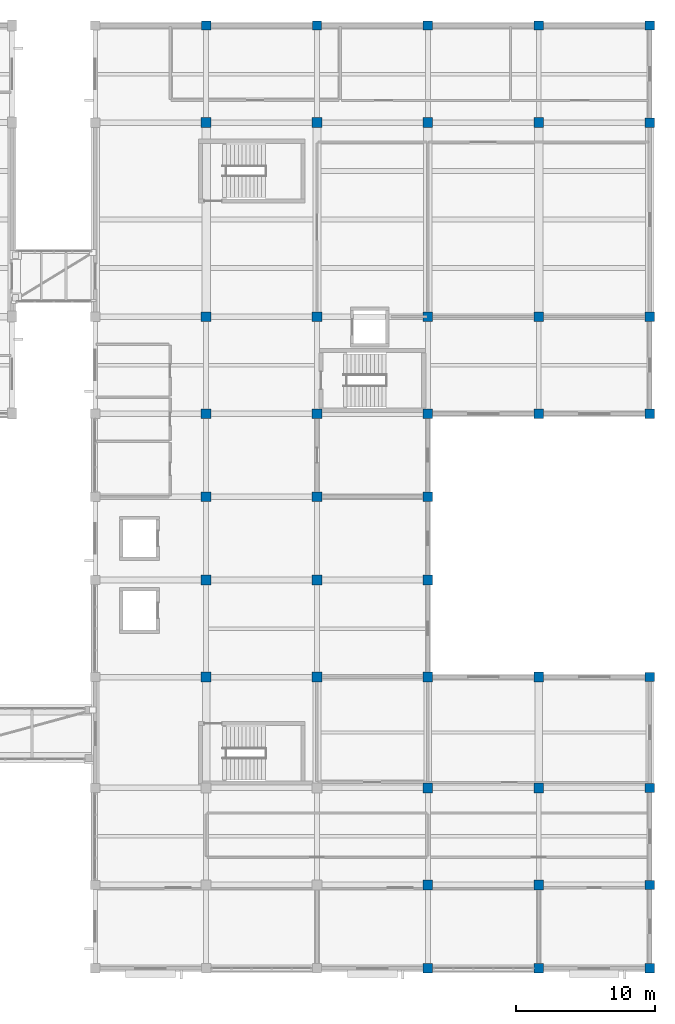
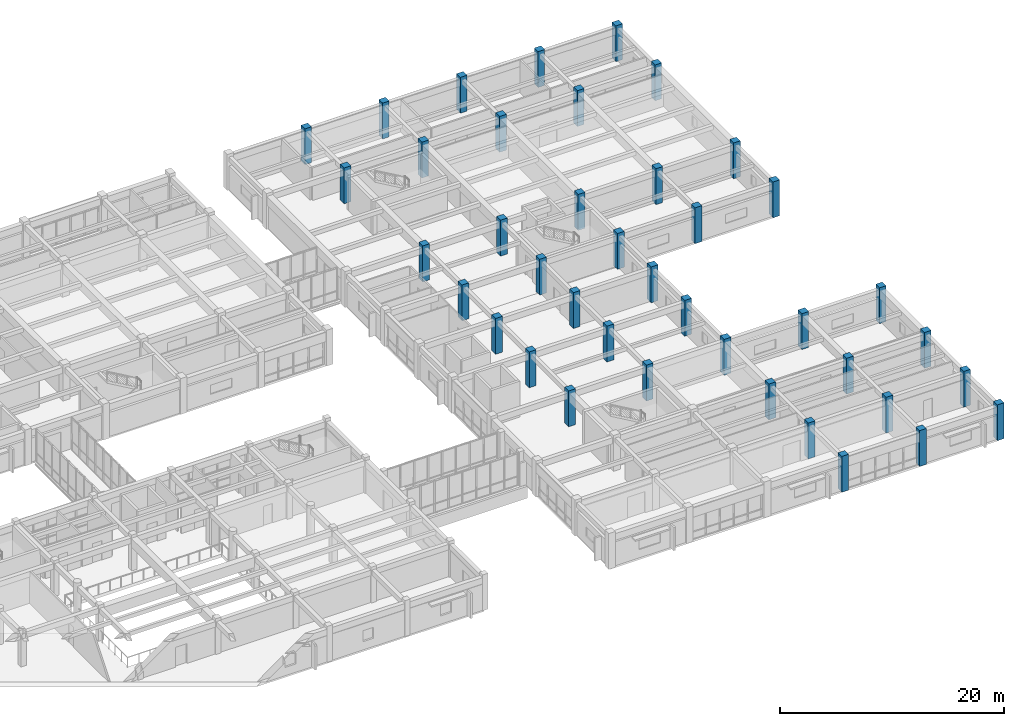
# One storey, part 2 of 66: 40 columns.
"""IFC4 building model written with IfcOpenShell, lengths in metres."""

from ifc_helpers import new_model, si_unit, direction, frame, origin, origin_2d, place, context, subcontext, project, spatial, rectangle, extrude, material, material_profile, profile_set, type_object, element, save


model = new_model("IFC4")

# Units and contexts
model_context = context("Model", 3, precision=1e-05, world=origin(), true_north=direction((0.0, 1.0)))
body_context = subcontext(model_context, "Body", "Model", "MODEL_VIEW")
ifc_project = project(units=[si_unit("LENGTHUNIT", "METRE"), si_unit("AREAUNIT", "SQUARE_METRE"), si_unit("VOLUMEUNIT", "CUBIC_METRE"), si_unit("PLANEANGLEUNIT", "RADIAN"), si_unit("MASSUNIT", "GRAM", prefix="KILO")], contexts=[model_context])

# Site, building, storey
site_placement = place(None, origin())
site = spatial("IfcSite", under=ifc_project, at=site_placement, CompositionType="ELEMENT")
building_placement = place(site_placement, origin())
building = spatial("IfcBuilding", under=site, at=building_placement, Name="Naurynzar Civic Courthouse", CompositionType="ELEMENT")
storey_placement = place(building_placement, frame((0.0, 0.0, 14.39990234375)))
storey = spatial("IfcBuildingStorey", under=building, at=storey_placement, Name="L04", CompositionType="ELEMENT", Elevation=14.39990234375)

# Columns
ifc_material_1 = material(Name="Concrete C40/50", Category="concrete")
ifc_material_profile_1 = material_profile(ifc_material_1, rectangle(XDim=0.675048828125, YDim=0.675048828125, at=origin_2d()), Name="RC 675x675")
ifc_profile_set_1 = profile_set([ifc_material_profile_1], Name="Concrete C40/50")
column_type_1 = type_object("IfcColumnType", Name="COL-RC-675x675", PredefinedType="COLUMN", material=ifc_profile_set_1)
for number, where, z_axis, x_axis, name in (
    (1, (138.0, 72.0, 0.0), (0.0, 0.0, 1.0), (1.0, 0.0, 0.0), "V5 column (138.0,72.0) L04"),
    (2, (146.0, 72.0, 0.0), (0.0, 0.0, 1.0), (1.0, 0.0, 0.0), "V5 column (146.0,72.0) L04"),
    (3, (154.0, 4.0, 0.0), (0.0, 0.0, 1.0), (1.0, 0.0, 0.0), "V5 column (154.0,4.0) L04"),
    (4, (154.0, 72.0, 0.0), (0.0, 0.0, 1.0), (1.0, 0.0, 0.0), "V5 column (154.0,72.0) L04"),
    (5, (162.0, 4.0, 0.0), (0.0, 0.0, 1.0), (1.0, 0.0, 0.0), "V5 column (162.0,4.0) L04"),
    (6, (162.0, 72.0, 0.0), (0.0, 0.0, 1.0), (1.0, 0.0, 0.0), "V5 column (162.0,72.0) L04"),
    (7, (170.0, 4.0, 0.0), (0.0, 0.0, 1.0), (1.0, 0.0, 0.0), "V5 column (170.0,4.0) L04"),
    (8, (170.0, 10.0, 0.0), (0.0, 0.0, 1.0), (1.0, 0.0, 0.0), "V5 column (170.0,10.0) L04"),
    (9, (170.0, 17.0, 0.0), (0.0, 0.0, 1.0), (1.0, 0.0, 0.0), "V5 column (170.0,17.0) L04"),
    (10, (170.0, 25.0, 0.0), (0.0, 0.0, 1.0), (1.0, 0.0, 0.0), "V5 column (170.0,25.0) L04"),
    (11, (170.0, 44.0, 0.0), (0.0, 0.0, 1.0), (1.0, 0.0, 0.0), "V5 column (170.0,44.0) L04"),
    (12, (170.0, 51.0, 0.0), (0.0, 0.0, 1.0), (1.0, 0.0, 0.0), "V5 column (170.0,51.0) L04"),
    (13, (170.0, 65.0, 0.0), (0.0, 0.0, 1.0), (1.0, 0.0, 0.0), "V5 column (170.0,65.0) L04"),
    (14, (170.0, 72.0, 0.0), (0.0, 0.0, 1.0), (1.0, 0.0, 0.0), "V5 column (170.0,72.0) L04"),
):
    element("IfcColumn", number, at=place(storey_placement, frame(where, z_axis=z_axis, x_axis=x_axis)), inside=storey, type_object=column_type_1, Name=name, PredefinedType="COLUMN", context=body_context, shape_type="SweptSolid", body=[
        extrude(rectangle(XDim=0.675048828125, YDim=0.675048828125, at=origin_2d()), origin(), (0.0, 0.0, 1.0), 3.900146484375),
    ])
ifc_material_2 = material(Name="Concrete C40/50", Category="concrete")
ifc_material_profile_2 = material_profile(ifc_material_2, rectangle(XDim=0.699951171875, YDim=0.699951171875, at=origin_2d()), Name="RC 700x700")
ifc_profile_set_2 = profile_set([ifc_material_profile_2], Name="Concrete C40/50")
column_type_2 = type_object("IfcColumnType", Name="COL-RC-700", PredefinedType="COLUMN", material=ifc_profile_set_2)
for number, where, z_axis, x_axis, name in (
    (15, (138.0, 25.0, 0.0), (0.0, 0.0, 1.0), (1.0, 0.0, 0.0), "V5 column (138.0,25.0) L04"),
    (16, (138.0, 32.0, 0.0), (0.0, 0.0, 1.0), (1.0, 0.0, 0.0), "V5 column (138.0,32.0) L04"),
    (17, (138.0, 38.0, 0.0), (0.0, 0.0, 1.0), (1.0, 0.0, 0.0), "V5 column (138.0,38.0) L04"),
    (18, (138.0, 44.0, 0.0), (0.0, 0.0, 1.0), (1.0, 0.0, 0.0), "V5 column (138.0,44.0) L04"),
    (19, (138.0, 51.0, 0.0), (0.0, 0.0, 1.0), (1.0, 0.0, 0.0), "V5 column (138.0,51.0) L04"),
    (20, (138.0, 65.0, 0.0), (0.0, 0.0, 1.0), (1.0, 0.0, 0.0), "V5 column (138.0,65.0) L04"),
    (21, (146.0, 25.0, 0.0), (0.0, 0.0, 1.0), (1.0, 0.0, 0.0), "V5 column (146.0,25.0) L04"),
    (22, (146.0, 32.0, 0.0), (0.0, 0.0, 1.0), (1.0, 0.0, 0.0), "V5 column (146.0,32.0) L04"),
    (23, (146.0, 38.0, 0.0), (0.0, 0.0, 1.0), (1.0, 0.0, 0.0), "V5 column (146.0,38.0) L04"),
    (24, (146.0, 44.0, 0.0), (0.0, 0.0, 1.0), (1.0, 0.0, 0.0), "V5 column (146.0,44.0) L04"),
    (25, (146.0, 51.0, 0.0), (0.0, 0.0, 1.0), (1.0, 0.0, 0.0), "V5 column (146.0,51.0) L04"),
    (26, (146.0, 65.0, 0.0), (0.0, 0.0, 1.0), (1.0, 0.0, 0.0), "V5 column (146.0,65.0) L04"),
    (27, (154.0, 10.0, 0.0), (0.0, 0.0, 1.0), (1.0, 0.0, 0.0), "V5 column (154.0,10.0) L04"),
    (28, (154.0, 17.0, 0.0), (0.0, 0.0, 1.0), (1.0, 0.0, 0.0), "V5 column (154.0,17.0) L04"),
    (29, (154.0, 25.0, 0.0), (0.0, 0.0, 1.0), (1.0, 0.0, 0.0), "V5 column (154.0,25.0) L04"),
    (30, (154.0, 32.0, 0.0), (0.0, 0.0, 1.0), (1.0, 0.0, 0.0), "V5 column (154.0,32.0) L04"),
    (31, (154.0, 38.0, 0.0), (0.0, 0.0, 1.0), (1.0, 0.0, 0.0), "V5 column (154.0,38.0) L04"),
    (32, (154.0, 44.0, 0.0), (0.0, 0.0, 1.0), (1.0, 0.0, 0.0), "V5 column (154.0,44.0) L04"),
    (33, (154.0, 51.0, 0.0), (0.0, 0.0, 1.0), (1.0, 0.0, 0.0), "V5 column (154.0,51.0) L04"),
    (34, (154.0, 65.0, 0.0), (0.0, 0.0, 1.0), (1.0, 0.0, 0.0), "V5 column (154.0,65.0) L04"),
    (35, (162.0, 10.0, 0.0), (0.0, 0.0, 1.0), (1.0, 0.0, 0.0), "V5 column (162.0,10.0) L04"),
    (36, (162.0, 17.0, 0.0), (0.0, 0.0, 1.0), (1.0, 0.0, 0.0), "V5 column (162.0,17.0) L04"),
    (37, (162.0, 25.0, 0.0), (0.0, 0.0, 1.0), (1.0, 0.0, 0.0), "V5 column (162.0,25.0) L04"),
    (38, (162.0, 44.0, 0.0), (0.0, 0.0, 1.0), (1.0, 0.0, 0.0), "V5 column (162.0,44.0) L04"),
    (39, (162.0, 51.0, 0.0), (0.0, 0.0, 1.0), (1.0, 0.0, 0.0), "V5 column (162.0,51.0) L04"),
    (40, (162.0, 65.0, 0.0), (0.0, 0.0, 1.0), (1.0, 0.0, 0.0), "V5 column (162.0,65.0) L04"),
):
    element("IfcColumn", number, at=place(storey_placement, frame(where, z_axis=z_axis, x_axis=x_axis)), inside=storey, type_object=column_type_2, Name=name, PredefinedType="COLUMN", context=body_context, shape_type="SweptSolid", body=[
        extrude(rectangle(XDim=0.699951171875, YDim=0.699951171875, at=origin_2d()), origin(), (0.0, 0.0, 1.0), 3.900146484375),
    ])

save(model, "model.ifc")
